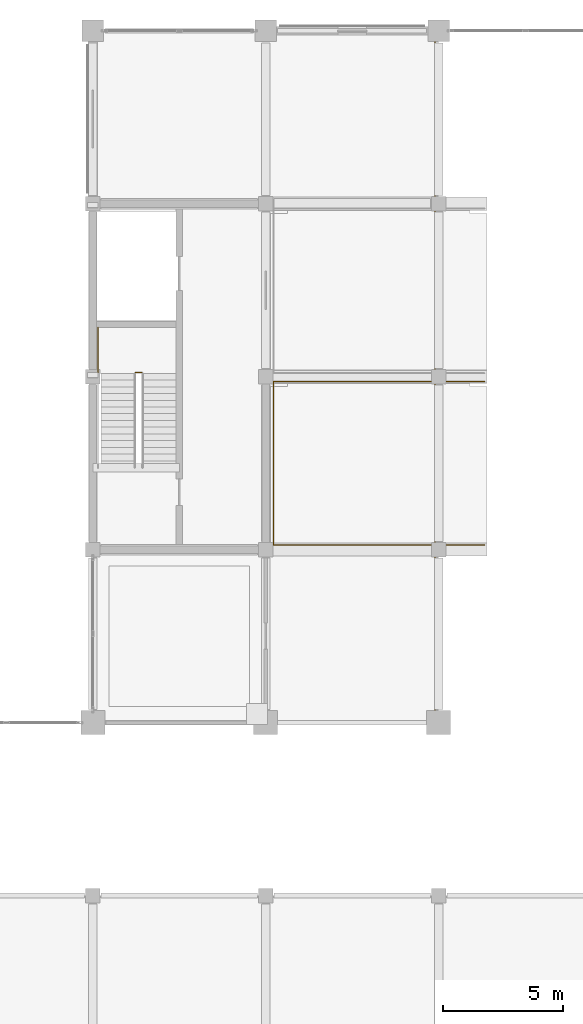
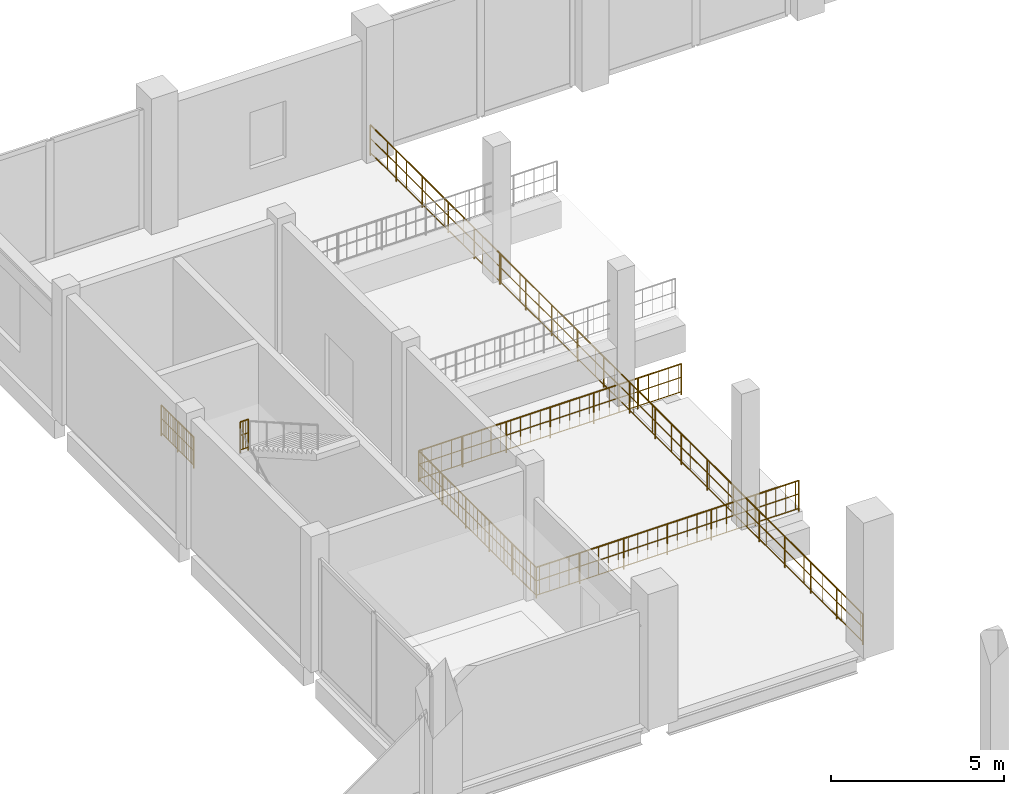
# One storey, part 91 of 99: 4 railings.
"""IFC4 building model written with IfcOpenShell, lengths in metres."""

from ifc_helpers import new_model, si_unit, direction, frame, origin, origin_2d, place, context, subcontext, project, spatial, circle, extrude, material, type_object, element, save


model = new_model("IFC4")

# Units and contexts
model_context = context("Model", 3, precision=1e-05, world=origin(), true_north=direction((0.0, 1.0)))
body_context = subcontext(model_context, "Body", "Model", "MODEL_VIEW")
ifc_project = project(units=[si_unit("LENGTHUNIT", "METRE"), si_unit("AREAUNIT", "SQUARE_METRE"), si_unit("VOLUMEUNIT", "CUBIC_METRE"), si_unit("PLANEANGLEUNIT", "RADIAN"), si_unit("MASSUNIT", "GRAM", prefix="KILO")], contexts=[model_context])

# Site, building, storey
site_placement = place(None, origin())
site = spatial("IfcSite", under=ifc_project, at=site_placement, CompositionType="ELEMENT")
building_placement = place(site_placement, origin())
building = spatial("IfcBuilding", under=site, at=building_placement, Name="Vesperath Aquatics Centre", CompositionType="ELEMENT")
storey_placement = place(building_placement, frame((0.0, 0.0, 5.39990234375)))
storey = spatial("IfcBuildingStorey", under=building, at=storey_placement, Name="L01", CompositionType="ELEMENT", Elevation=5.39990234375)

# Railings
ifc_material = material(Name="Powder-coated galvanized steel safety guard", Category="steel")
railing_type = type_object("IfcRailingType", Name="RL-GRD01", PredefinedType="GUARDRAIL", material=ifc_material)
railing_1_placement = place(storey_placement, frame((8.97998046875, 100.97998046875, 2.400146484375)))
element("IfcRailing", 1, at=railing_1_placement, inside=storey, type_object=railing_type, Name="Stair ST3 Half-Landing Slot Guard GR02 L01", PredefinedType="GUARDRAIL", context=body_context, shape_type="SweptSolid", body=[
    extrude(circle(Radius=0.02392578125, at=origin_2d()), frame((0.0, 0.0, 1.0859375), z_axis=(1.0, 0.0, 0.0), x_axis=(0.0, 1.0, 0.0)), (0.0, 0.0, 1.0), 0.260009765625),
    extrude(circle(Radius=0.01611328125, at=origin_2d()), frame((0.0, 0.0, 0.10009765625), z_axis=(1.0, 0.0, 0.0), x_axis=(0.0, 1.0, 0.0)), (0.0, 0.0, 1.0), 0.260009765625),
    extrude(circle(Radius=0.01611328125, at=origin_2d()), frame((0.0, 0.0, 0.610595703125), z_axis=(1.0, 0.0, 0.0), x_axis=(0.0, 1.0, 0.0)), (0.0, 0.0, 1.0), 0.260009765625),
    extrude(circle(Radius=0.009033203125, at=origin_2d()), frame((0.086669921875, 0.0, 0.10009765625)), (0.0, 0.0, 1.0), 0.9619140625),
    extrude(circle(Radius=0.009033203125, at=origin_2d()), frame((0.17333984375, 0.0, 0.10009765625)), (0.0, 0.0, 1.0), 0.9619140625),
    extrude(circle(Radius=0.02197265625, at=origin_2d()), origin(), (0.0, 0.0, 1.0), 1.0859375),
    extrude(circle(Radius=0.02197265625, at=origin_2d()), frame((0.260009765625, 0.0, 0.0)), (0.0, 0.0, 1.0), 1.0859375),
])
railing_2_placement = place(storey_placement, frame((7.419921875, 100.97998046875, 2.400146484375)))
element("IfcRailing", 2, at=railing_2_placement, inside=storey, type_object=railing_type, Name="Stair ST3 Half-Landing Wall Guard GR02 L01", PredefinedType="GUARDRAIL", context=body_context, shape_type="SweptSolid", body=[
    extrude(circle(Radius=0.02392578125, at=origin_2d()), frame((0.0, 0.0, 1.0859375), z_axis=(0.0, 1.0, 0.0), x_axis=(-1.0, 0.0, 0.0)), (0.0, 0.0, 1.0), 1.880126953125),
    extrude(circle(Radius=0.01611328125, at=origin_2d()), frame((0.0, 0.0, 0.10009765625), z_axis=(0.0, 1.0, 0.0), x_axis=(-1.0, 0.0, 0.0)), (0.0, 0.0, 1.0), 1.880126953125),
    extrude(circle(Radius=0.01611328125, at=origin_2d()), frame((0.0, 0.0, 0.610595703125), z_axis=(0.0, 1.0, 0.0), x_axis=(-1.0, 0.0, 0.0)), (0.0, 0.0, 1.0), 1.880126953125),
    extrude(circle(Radius=0.009033203125, at=origin_2d()), frame((0.0, 0.1044921875, 0.10009765625)), (0.0, 0.0, 1.0), 0.9619140625),
    extrude(circle(Radius=0.009033203125, at=origin_2d()), frame((0.0, 0.208984375, 0.10009765625)), (0.0, 0.0, 1.0), 0.9619140625),
    extrude(circle(Radius=0.009033203125, at=origin_2d()), frame((0.0, 0.3134765625, 0.10009765625)), (0.0, 0.0, 1.0), 0.9619140625),
    extrude(circle(Radius=0.009033203125, at=origin_2d()), frame((0.0, 0.417724609375, 0.10009765625)), (0.0, 0.0, 1.0), 0.9619140625),
    extrude(circle(Radius=0.009033203125, at=origin_2d()), frame((0.0, 0.522216796875, 0.10009765625)), (0.0, 0.0, 1.0), 0.9619140625),
    extrude(circle(Radius=0.009033203125, at=origin_2d()), frame((0.0, 0.626708984375, 0.10009765625)), (0.0, 0.0, 1.0), 0.9619140625),
    extrude(circle(Radius=0.009033203125, at=origin_2d()), frame((0.0, 0.731201171875, 0.10009765625)), (0.0, 0.0, 1.0), 0.9619140625),
    extrude(circle(Radius=0.009033203125, at=origin_2d()), frame((0.0, 0.835693359375, 0.10009765625)), (0.0, 0.0, 1.0), 0.9619140625),
    extrude(circle(Radius=0.009033203125, at=origin_2d()), frame((0.0, 0.93994140625, 0.10009765625)), (0.0, 0.0, 1.0), 0.9619140625),
    extrude(circle(Radius=0.009033203125, at=origin_2d()), frame((0.0, 1.04443359375, 0.10009765625)), (0.0, 0.0, 1.0), 0.9619140625),
    extrude(circle(Radius=0.009033203125, at=origin_2d()), frame((0.0, 1.14892578125, 0.10009765625)), (0.0, 0.0, 1.0), 0.9619140625),
    extrude(circle(Radius=0.009033203125, at=origin_2d()), frame((0.0, 1.25341796875, 0.10009765625)), (0.0, 0.0, 1.0), 0.9619140625),
    extrude(circle(Radius=0.009033203125, at=origin_2d()), frame((0.0, 1.35791015625, 0.10009765625)), (0.0, 0.0, 1.0), 0.9619140625),
    extrude(circle(Radius=0.009033203125, at=origin_2d()), frame((0.0, 1.46240234375, 0.10009765625)), (0.0, 0.0, 1.0), 0.9619140625),
    extrude(circle(Radius=0.009033203125, at=origin_2d()), frame((0.0, 1.56689453125, 0.10009765625)), (0.0, 0.0, 1.0), 0.9619140625),
    extrude(circle(Radius=0.009033203125, at=origin_2d()), frame((0.0, 1.671142578125, 0.10009765625)), (0.0, 0.0, 1.0), 0.9619140625),
    extrude(circle(Radius=0.009033203125, at=origin_2d()), frame((0.0, 1.775634765625, 0.10009765625)), (0.0, 0.0, 1.0), 0.9619140625),
    extrude(circle(Radius=0.02197265625, at=origin_2d()), origin(), (0.0, 0.0, 1.0), 1.0859375),
    extrude(circle(Radius=0.02197265625, at=origin_2d()), frame((0.0, 0.93994140625, 0.0)), (0.0, 0.0, 1.0), 1.0859375),
    extrude(circle(Radius=0.02197265625, at=origin_2d()), frame((0.0, 1.880126953125, 0.0)), (0.0, 0.0, 1.0), 1.0859375),
])
railing_3_placement = place(storey_placement, frame((21.449951171875, 86.550048828125, 0.0)))
element("IfcRailing", 3, at=railing_3_placement, inside=storey, type_object=railing_type, Name="Safety Guardrail GR02 GRD_L01_DIVE_G", PredefinedType="GUARDRAIL", context=body_context, shape_type="SweptSolid", body=[
    extrude(circle(Radius=0.02392578125, at=origin_2d()), frame((0.0, 0.0, 1.0859375), z_axis=(0.0, 1.0, 0.0), x_axis=(-1.0, 0.0, 0.0)), (0.0, 0.0, 1.0), 28.5),
    extrude(circle(Radius=0.01611328125, at=origin_2d()), frame((0.0, 0.0, 0.10009765625), z_axis=(0.0, 1.0, 0.0), x_axis=(-1.0, 0.0, 0.0)), (0.0, 0.0, 1.0), 28.5),
    extrude(circle(Radius=0.01611328125, at=origin_2d()), frame((0.0, 0.0, 0.610595703125), z_axis=(0.0, 1.0, 0.0), x_axis=(-1.0, 0.0, 0.0)), (0.0, 0.0, 1.0), 28.5),
    extrude(circle(Radius=0.009033203125, at=origin_2d()), frame((0.0, 0.109619140625, 0.10009765625)), (0.0, 0.0, 1.0), 0.9619140625),
    extrude(circle(Radius=0.009033203125, at=origin_2d()), frame((0.0, 1.205810546875, 0.10009765625)), (0.0, 0.0, 1.0), 0.9619140625),
    extrude(circle(Radius=0.009033203125, at=origin_2d()), frame((0.0, 2.302001953125, 0.10009765625)), (0.0, 0.0, 1.0), 0.9619140625),
    extrude(circle(Radius=0.009033203125, at=origin_2d()), frame((0.0, 3.398193359375, 0.10009765625)), (0.0, 0.0, 1.0), 0.9619140625),
    extrude(circle(Radius=0.009033203125, at=origin_2d()), frame((0.0, 4.494140625, 0.10009765625)), (0.0, 0.0, 1.0), 0.9619140625),
    extrude(circle(Radius=0.009033203125, at=origin_2d()), frame((0.0, 5.59033203125, 0.10009765625)), (0.0, 0.0, 1.0), 0.9619140625),
    extrude(circle(Radius=0.009033203125, at=origin_2d()), frame((0.0, 6.6865234375, 0.10009765625)), (0.0, 0.0, 1.0), 0.9619140625),
    extrude(circle(Radius=0.009033203125, at=origin_2d()), frame((0.0, 7.78271484375, 0.10009765625)), (0.0, 0.0, 1.0), 0.9619140625),
    extrude(circle(Radius=0.009033203125, at=origin_2d()), frame((0.0, 8.87890625, 0.10009765625)), (0.0, 0.0, 1.0), 0.9619140625),
    extrude(circle(Radius=0.009033203125, at=origin_2d()), frame((0.0, 9.97509765625, 0.10009765625)), (0.0, 0.0, 1.0), 0.9619140625),
    extrude(circle(Radius=0.009033203125, at=origin_2d()), frame((0.0, 11.071044921875, 0.10009765625)), (0.0, 0.0, 1.0), 0.9619140625),
    extrude(circle(Radius=0.009033203125, at=origin_2d()), frame((0.0, 12.167236328125, 0.10009765625)), (0.0, 0.0, 1.0), 0.9619140625),
    extrude(circle(Radius=0.009033203125, at=origin_2d()), frame((0.0, 13.263427734375, 0.10009765625)), (0.0, 0.0, 1.0), 0.9619140625),
    extrude(circle(Radius=0.009033203125, at=origin_2d()), frame((0.0, 14.359619140625, 0.10009765625)), (0.0, 0.0, 1.0), 0.9619140625),
    extrude(circle(Radius=0.009033203125, at=origin_2d()), frame((0.0, 15.455810546875, 0.10009765625)), (0.0, 0.0, 1.0), 0.9619140625),
    extrude(circle(Radius=0.009033203125, at=origin_2d()), frame((0.0, 16.552001953125, 0.10009765625)), (0.0, 0.0, 1.0), 0.9619140625),
    extrude(circle(Radius=0.009033203125, at=origin_2d()), frame((0.0, 17.648193359375, 0.10009765625)), (0.0, 0.0, 1.0), 0.9619140625),
    extrude(circle(Radius=0.009033203125, at=origin_2d()), frame((0.0, 18.744140625, 0.10009765625)), (0.0, 0.0, 1.0), 0.9619140625),
    extrude(circle(Radius=0.009033203125, at=origin_2d()), frame((0.0, 19.84033203125, 0.10009765625)), (0.0, 0.0, 1.0), 0.9619140625),
    extrude(circle(Radius=0.009033203125, at=origin_2d()), frame((0.0, 20.9365234375, 0.10009765625)), (0.0, 0.0, 1.0), 0.9619140625),
    extrude(circle(Radius=0.009033203125, at=origin_2d()), frame((0.0, 22.03271484375, 0.10009765625)), (0.0, 0.0, 1.0), 0.9619140625),
    extrude(circle(Radius=0.009033203125, at=origin_2d()), frame((0.0, 23.12890625, 0.10009765625)), (0.0, 0.0, 1.0), 0.9619140625),
    extrude(circle(Radius=0.009033203125, at=origin_2d()), frame((0.0, 24.22509765625, 0.10009765625)), (0.0, 0.0, 1.0), 0.9619140625),
    extrude(circle(Radius=0.009033203125, at=origin_2d()), frame((0.0, 25.321044921875, 0.10009765625)), (0.0, 0.0, 1.0), 0.9619140625),
    extrude(circle(Radius=0.009033203125, at=origin_2d()), frame((0.0, 26.417236328125, 0.10009765625)), (0.0, 0.0, 1.0), 0.9619140625),
    extrude(circle(Radius=0.009033203125, at=origin_2d()), frame((0.0, 27.513427734375, 0.10009765625)), (0.0, 0.0, 1.0), 0.9619140625),
    extrude(circle(Radius=0.02197265625, at=origin_2d()), origin(), (0.0, 0.0, 1.0), 1.0859375),
    extrude(circle(Radius=0.02197265625, at=origin_2d()), frame((0.0, 1.5, 0.0)), (0.0, 0.0, 1.0), 1.0859375),
    extrude(circle(Radius=0.02197265625, at=origin_2d()), frame((0.0, 3.0, 0.0)), (0.0, 0.0, 1.0), 1.0859375),
    extrude(circle(Radius=0.02197265625, at=origin_2d()), frame((0.0, 4.5, 0.0)), (0.0, 0.0, 1.0), 1.0859375),
    extrude(circle(Radius=0.02197265625, at=origin_2d()), frame((0.0, 6.0, 0.0)), (0.0, 0.0, 1.0), 1.0859375),
    extrude(circle(Radius=0.02197265625, at=origin_2d()), frame((0.0, 7.5, 0.0)), (0.0, 0.0, 1.0), 1.0859375),
    extrude(circle(Radius=0.02197265625, at=origin_2d()), frame((0.0, 9.0, 0.0)), (0.0, 0.0, 1.0), 1.0859375),
    extrude(circle(Radius=0.02197265625, at=origin_2d()), frame((0.0, 10.5, 0.0)), (0.0, 0.0, 1.0), 1.0859375),
    extrude(circle(Radius=0.02197265625, at=origin_2d()), frame((0.0, 12.0, 0.0)), (0.0, 0.0, 1.0), 1.0859375),
    extrude(circle(Radius=0.02197265625, at=origin_2d()), frame((0.0, 13.5, 0.0)), (0.0, 0.0, 1.0), 1.0859375),
    extrude(circle(Radius=0.02197265625, at=origin_2d()), frame((0.0, 15.0, 0.0)), (0.0, 0.0, 1.0), 1.0859375),
    extrude(circle(Radius=0.02197265625, at=origin_2d()), frame((0.0, 16.5, 0.0)), (0.0, 0.0, 1.0), 1.0859375),
    extrude(circle(Radius=0.02197265625, at=origin_2d()), frame((0.0, 18.0, 0.0)), (0.0, 0.0, 1.0), 1.0859375),
    extrude(circle(Radius=0.02197265625, at=origin_2d()), frame((0.0, 19.5, 0.0)), (0.0, 0.0, 1.0), 1.0859375),
    extrude(circle(Radius=0.02197265625, at=origin_2d()), frame((0.0, 21.0, 0.0)), (0.0, 0.0, 1.0), 1.0859375),
    extrude(circle(Radius=0.02197265625, at=origin_2d()), frame((0.0, 22.5, 0.0)), (0.0, 0.0, 1.0), 1.0859375),
    extrude(circle(Radius=0.02197265625, at=origin_2d()), frame((0.0, 24.0, 0.0)), (0.0, 0.0, 1.0), 1.0859375),
    extrude(circle(Radius=0.02197265625, at=origin_2d()), frame((0.0, 25.5, 0.0)), (0.0, 0.0, 1.0), 1.0859375),
    extrude(circle(Radius=0.02197265625, at=origin_2d()), frame((0.0, 27.0, 0.0)), (0.0, 0.0, 1.0), 1.0859375),
    extrude(circle(Radius=0.02197265625, at=origin_2d()), frame((0.0, 28.5, 0.0)), (0.0, 0.0, 1.0), 1.0859375),
])
railing_4_placement = place(storey_placement, frame((23.5, 93.800048828125, -0.39990234375)))
element("IfcRailing", 4, at=railing_4_placement, inside=storey, type_object=railing_type, Name="Safety Guardrail GR02 GRD_DP_5M", PredefinedType="GUARDRAIL", context=body_context, shape_type="SweptSolid", body=[
    extrude(circle(Radius=0.02392578125, at=origin_2d()), frame((0.0, 0.0, 1.0859375), z_axis=(-1.0, 0.0, 0.0), x_axis=(0.0, -1.0, 0.0)), (0.0, 0.0, 1.0), 8.780029296875),
    extrude(circle(Radius=0.01611328125, at=origin_2d()), frame((0.0, 0.0, 0.10009765625), z_axis=(-1.0, 0.0, 0.0), x_axis=(0.0, -1.0, 0.0)), (0.0, 0.0, 1.0), 8.780029296875),
    extrude(circle(Radius=0.01611328125, at=origin_2d()), frame((0.0, 0.0, 0.610595703125), z_axis=(-1.0, 0.0, 0.0), x_axis=(0.0, -1.0, 0.0)), (0.0, 0.0, 1.0), 8.780029296875),
    extrude(circle(Radius=0.009033203125, at=origin_2d()), frame((-0.10986328125, 0.0, 0.10009765625)), (0.0, 0.0, 1.0), 0.9619140625),
    extrude(circle(Radius=0.009033203125, at=origin_2d()), frame((-0.43896484375, 0.0, 0.10009765625)), (0.0, 0.0, 1.0), 0.9619140625),
    extrude(circle(Radius=0.009033203125, at=origin_2d()), frame((-0.768310546875, 0.0, 0.10009765625)), (0.0, 0.0, 1.0), 0.9619140625),
    extrude(circle(Radius=0.009033203125, at=origin_2d()), frame((-1.097412109375, 0.0, 0.10009765625)), (0.0, 0.0, 1.0), 0.9619140625),
    extrude(circle(Radius=0.009033203125, at=origin_2d()), frame((-1.4267578125, 0.0, 0.10009765625)), (0.0, 0.0, 1.0), 0.9619140625),
    extrude(circle(Radius=0.009033203125, at=origin_2d()), frame((-1.756103515625, 0.0, 0.10009765625)), (0.0, 0.0, 1.0), 0.9619140625),
    extrude(circle(Radius=0.009033203125, at=origin_2d()), frame((-2.085205078125, 0.0, 0.10009765625)), (0.0, 0.0, 1.0), 0.9619140625),
    extrude(circle(Radius=0.009033203125, at=origin_2d()), frame((-2.41455078125, 0.0, 0.10009765625)), (0.0, 0.0, 1.0), 0.9619140625),
    extrude(circle(Radius=0.009033203125, at=origin_2d()), frame((-2.74365234375, 0.0, 0.10009765625)), (0.0, 0.0, 1.0), 0.9619140625),
    extrude(circle(Radius=0.009033203125, at=origin_2d()), frame((-3.072998046875, 0.0, 0.10009765625)), (0.0, 0.0, 1.0), 0.9619140625),
    extrude(circle(Radius=0.009033203125, at=origin_2d()), frame((-3.40234375, 0.0, 0.10009765625)), (0.0, 0.0, 1.0), 0.9619140625),
    extrude(circle(Radius=0.009033203125, at=origin_2d()), frame((-3.7314453125, 0.0, 0.10009765625)), (0.0, 0.0, 1.0), 0.9619140625),
    extrude(circle(Radius=0.009033203125, at=origin_2d()), frame((-4.060791015625, 0.0, 0.10009765625)), (0.0, 0.0, 1.0), 0.9619140625),
    extrude(circle(Radius=0.009033203125, at=origin_2d()), frame((-4.39013671875, 0.0, 0.10009765625)), (0.0, 0.0, 1.0), 0.9619140625),
    extrude(circle(Radius=0.009033203125, at=origin_2d()), frame((-4.71923828125, 0.0, 0.10009765625)), (0.0, 0.0, 1.0), 0.9619140625),
    extrude(circle(Radius=0.009033203125, at=origin_2d()), frame((-5.048583984375, 0.0, 0.10009765625)), (0.0, 0.0, 1.0), 0.9619140625),
    extrude(circle(Radius=0.009033203125, at=origin_2d()), frame((-5.377685546875, 0.0, 0.10009765625)), (0.0, 0.0, 1.0), 0.9619140625),
    extrude(circle(Radius=0.009033203125, at=origin_2d()), frame((-5.70703125, 0.0, 0.10009765625)), (0.0, 0.0, 1.0), 0.9619140625),
    extrude(circle(Radius=0.009033203125, at=origin_2d()), frame((-6.036376953125, 0.0, 0.10009765625)), (0.0, 0.0, 1.0), 0.9619140625),
    extrude(circle(Radius=0.009033203125, at=origin_2d()), frame((-6.365478515625, 0.0, 0.10009765625)), (0.0, 0.0, 1.0), 0.9619140625),
    extrude(circle(Radius=0.009033203125, at=origin_2d()), frame((-6.69482421875, 0.0, 0.10009765625)), (0.0, 0.0, 1.0), 0.9619140625),
    extrude(circle(Radius=0.009033203125, at=origin_2d()), frame((-7.02392578125, 0.0, 0.10009765625)), (0.0, 0.0, 1.0), 0.9619140625),
    extrude(circle(Radius=0.009033203125, at=origin_2d()), frame((-7.353271484375, 0.0, 0.10009765625)), (0.0, 0.0, 1.0), 0.9619140625),
    extrude(circle(Radius=0.009033203125, at=origin_2d()), frame((-7.6826171875, 0.0, 0.10009765625)), (0.0, 0.0, 1.0), 0.9619140625),
    extrude(circle(Radius=0.009033203125, at=origin_2d()), frame((-8.01171875, 0.0, 0.10009765625)), (0.0, 0.0, 1.0), 0.9619140625),
    extrude(circle(Radius=0.009033203125, at=origin_2d()), frame((-8.341064453125, 0.0, 0.10009765625)), (0.0, 0.0, 1.0), 0.9619140625),
    extrude(circle(Radius=0.009033203125, at=origin_2d()), frame((-8.670166015625, 0.0, 0.10009765625)), (0.0, 0.0, 1.0), 0.9619140625),
    extrude(circle(Radius=0.02392578125, at=origin_2d()), frame((-8.780029296875, 0.0, 1.0859375), z_axis=(0.0, 1.0, 0.0), x_axis=(-1.0, 0.0, 0.0)), (0.0, 0.0, 1.0), 6.800048828125),
    extrude(circle(Radius=0.01611328125, at=origin_2d()), frame((-8.780029296875, 0.0, 0.10009765625), z_axis=(0.0, 1.0, 0.0), x_axis=(-1.0, 0.0, 0.0)), (0.0, 0.0, 1.0), 6.800048828125),
    extrude(circle(Radius=0.01611328125, at=origin_2d()), frame((-8.780029296875, 0.0, 0.610595703125), z_axis=(0.0, 1.0, 0.0), x_axis=(-1.0, 0.0, 0.0)), (0.0, 0.0, 1.0), 6.800048828125),
    extrude(circle(Radius=0.009033203125, at=origin_2d()), frame((-8.780029296875, 0.109619140625, 0.10009765625)), (0.0, 0.0, 1.0), 0.9619140625),
    extrude(circle(Radius=0.009033203125, at=origin_2d()), frame((-8.780029296875, 0.3291015625, 0.10009765625)), (0.0, 0.0, 1.0), 0.9619140625),
    extrude(circle(Radius=0.009033203125, at=origin_2d()), frame((-8.780029296875, 0.54833984375, 0.10009765625)), (0.0, 0.0, 1.0), 0.9619140625),
    extrude(circle(Radius=0.009033203125, at=origin_2d()), frame((-8.780029296875, 0.767822265625, 0.10009765625)), (0.0, 0.0, 1.0), 0.9619140625),
    extrude(circle(Radius=0.009033203125, at=origin_2d()), frame((-8.780029296875, 0.987060546875, 0.10009765625)), (0.0, 0.0, 1.0), 0.9619140625),
    extrude(circle(Radius=0.009033203125, at=origin_2d()), frame((-8.780029296875, 1.20654296875, 0.10009765625)), (0.0, 0.0, 1.0), 0.9619140625),
    extrude(circle(Radius=0.009033203125, at=origin_2d()), frame((-8.780029296875, 1.42578125, 0.10009765625)), (0.0, 0.0, 1.0), 0.9619140625),
    extrude(circle(Radius=0.009033203125, at=origin_2d()), frame((-8.780029296875, 1.645263671875, 0.10009765625)), (0.0, 0.0, 1.0), 0.9619140625),
    extrude(circle(Radius=0.009033203125, at=origin_2d()), frame((-8.780029296875, 1.864501953125, 0.10009765625)), (0.0, 0.0, 1.0), 0.9619140625),
    extrude(circle(Radius=0.009033203125, at=origin_2d()), frame((-8.780029296875, 2.083984375, 0.10009765625)), (0.0, 0.0, 1.0), 0.9619140625),
    extrude(circle(Radius=0.009033203125, at=origin_2d()), frame((-8.780029296875, 2.30322265625, 0.10009765625)), (0.0, 0.0, 1.0), 0.9619140625),
    extrude(circle(Radius=0.009033203125, at=origin_2d()), frame((-8.780029296875, 2.522705078125, 0.10009765625)), (0.0, 0.0, 1.0), 0.9619140625),
    extrude(circle(Radius=0.009033203125, at=origin_2d()), frame((-8.780029296875, 2.741943359375, 0.10009765625)), (0.0, 0.0, 1.0), 0.9619140625),
    extrude(circle(Radius=0.009033203125, at=origin_2d()), frame((-8.780029296875, 2.96142578125, 0.10009765625)), (0.0, 0.0, 1.0), 0.9619140625),
    extrude(circle(Radius=0.009033203125, at=origin_2d()), frame((-8.780029296875, 3.1806640625, 0.10009765625)), (0.0, 0.0, 1.0), 0.9619140625),
    extrude(circle(Radius=0.009033203125, at=origin_2d()), frame((-8.780029296875, 3.39990234375, 0.10009765625)), (0.0, 0.0, 1.0), 0.9619140625),
    extrude(circle(Radius=0.009033203125, at=origin_2d()), frame((-8.780029296875, 3.619384765625, 0.10009765625)), (0.0, 0.0, 1.0), 0.9619140625),
    extrude(circle(Radius=0.009033203125, at=origin_2d()), frame((-8.780029296875, 3.838623046875, 0.10009765625)), (0.0, 0.0, 1.0), 0.9619140625),
    extrude(circle(Radius=0.009033203125, at=origin_2d()), frame((-8.780029296875, 4.05810546875, 0.10009765625)), (0.0, 0.0, 1.0), 0.9619140625),
    extrude(circle(Radius=0.009033203125, at=origin_2d()), frame((-8.780029296875, 4.27734375, 0.10009765625)), (0.0, 0.0, 1.0), 0.9619140625),
    extrude(circle(Radius=0.009033203125, at=origin_2d()), frame((-8.780029296875, 4.496826171875, 0.10009765625)), (0.0, 0.0, 1.0), 0.9619140625),
    extrude(circle(Radius=0.009033203125, at=origin_2d()), frame((-8.780029296875, 4.716064453125, 0.10009765625)), (0.0, 0.0, 1.0), 0.9619140625),
    extrude(circle(Radius=0.009033203125, at=origin_2d()), frame((-8.780029296875, 4.935546875, 0.10009765625)), (0.0, 0.0, 1.0), 0.9619140625),
    extrude(circle(Radius=0.009033203125, at=origin_2d()), frame((-8.780029296875, 5.15478515625, 0.10009765625)), (0.0, 0.0, 1.0), 0.9619140625),
    extrude(circle(Radius=0.009033203125, at=origin_2d()), frame((-8.780029296875, 5.374267578125, 0.10009765625)), (0.0, 0.0, 1.0), 0.9619140625),
    extrude(circle(Radius=0.009033203125, at=origin_2d()), frame((-8.780029296875, 5.593505859375, 0.10009765625)), (0.0, 0.0, 1.0), 0.9619140625),
    extrude(circle(Radius=0.009033203125, at=origin_2d()), frame((-8.780029296875, 5.81298828125, 0.10009765625)), (0.0, 0.0, 1.0), 0.9619140625),
    extrude(circle(Radius=0.009033203125, at=origin_2d()), frame((-8.780029296875, 6.0322265625, 0.10009765625)), (0.0, 0.0, 1.0), 0.9619140625),
    extrude(circle(Radius=0.009033203125, at=origin_2d()), frame((-8.780029296875, 6.251708984375, 0.10009765625)), (0.0, 0.0, 1.0), 0.9619140625),
    extrude(circle(Radius=0.009033203125, at=origin_2d()), frame((-8.780029296875, 6.470947265625, 0.10009765625)), (0.0, 0.0, 1.0), 0.9619140625),
    extrude(circle(Radius=0.009033203125, at=origin_2d()), frame((-8.780029296875, 6.6904296875, 0.10009765625)), (0.0, 0.0, 1.0), 0.9619140625),
    extrude(circle(Radius=0.02392578125, at=origin_2d()), frame((-8.780029296875, 6.800048828125, 1.0859375), z_axis=(1.0, 0.0, 0.0), x_axis=(0.0, 1.0, 0.0)), (0.0, 0.0, 1.0), 8.780029296875),
    extrude(circle(Radius=0.01611328125, at=origin_2d()), frame((-8.780029296875, 6.800048828125, 0.10009765625), z_axis=(1.0, 0.0, 0.0), x_axis=(0.0, 1.0, 0.0)), (0.0, 0.0, 1.0), 8.780029296875),
    extrude(circle(Radius=0.01611328125, at=origin_2d()), frame((-8.780029296875, 6.800048828125, 0.610595703125), z_axis=(1.0, 0.0, 0.0), x_axis=(0.0, 1.0, 0.0)), (0.0, 0.0, 1.0), 8.780029296875),
    extrude(circle(Radius=0.009033203125, at=origin_2d()), frame((-8.670166015625, 6.800048828125, 0.10009765625)), (0.0, 0.0, 1.0), 0.9619140625),
    extrude(circle(Radius=0.009033203125, at=origin_2d()), frame((-8.341064453125, 6.800048828125, 0.10009765625)), (0.0, 0.0, 1.0), 0.9619140625),
    extrude(circle(Radius=0.009033203125, at=origin_2d()), frame((-8.01171875, 6.800048828125, 0.10009765625)), (0.0, 0.0, 1.0), 0.9619140625),
    extrude(circle(Radius=0.009033203125, at=origin_2d()), frame((-7.6826171875, 6.800048828125, 0.10009765625)), (0.0, 0.0, 1.0), 0.9619140625),
    extrude(circle(Radius=0.009033203125, at=origin_2d()), frame((-7.353271484375, 6.800048828125, 0.10009765625)), (0.0, 0.0, 1.0), 0.9619140625),
    extrude(circle(Radius=0.009033203125, at=origin_2d()), frame((-7.02392578125, 6.800048828125, 0.10009765625)), (0.0, 0.0, 1.0), 0.9619140625),
    extrude(circle(Radius=0.009033203125, at=origin_2d()), frame((-6.69482421875, 6.800048828125, 0.10009765625)), (0.0, 0.0, 1.0), 0.9619140625),
    extrude(circle(Radius=0.009033203125, at=origin_2d()), frame((-6.365478515625, 6.800048828125, 0.10009765625)), (0.0, 0.0, 1.0), 0.9619140625),
    extrude(circle(Radius=0.009033203125, at=origin_2d()), frame((-6.036376953125, 6.800048828125, 0.10009765625)), (0.0, 0.0, 1.0), 0.9619140625),
    extrude(circle(Radius=0.009033203125, at=origin_2d()), frame((-5.70703125, 6.800048828125, 0.10009765625)), (0.0, 0.0, 1.0), 0.9619140625),
    extrude(circle(Radius=0.009033203125, at=origin_2d()), frame((-5.377685546875, 6.800048828125, 0.10009765625)), (0.0, 0.0, 1.0), 0.9619140625),
    extrude(circle(Radius=0.009033203125, at=origin_2d()), frame((-5.048583984375, 6.800048828125, 0.10009765625)), (0.0, 0.0, 1.0), 0.9619140625),
    extrude(circle(Radius=0.009033203125, at=origin_2d()), frame((-4.71923828125, 6.800048828125, 0.10009765625)), (0.0, 0.0, 1.0), 0.9619140625),
    extrude(circle(Radius=0.009033203125, at=origin_2d()), frame((-4.39013671875, 6.800048828125, 0.10009765625)), (0.0, 0.0, 1.0), 0.9619140625),
    extrude(circle(Radius=0.009033203125, at=origin_2d()), frame((-4.060791015625, 6.800048828125, 0.10009765625)), (0.0, 0.0, 1.0), 0.9619140625),
    extrude(circle(Radius=0.009033203125, at=origin_2d()), frame((-3.7314453125, 6.800048828125, 0.10009765625)), (0.0, 0.0, 1.0), 0.9619140625),
    extrude(circle(Radius=0.009033203125, at=origin_2d()), frame((-3.40234375, 6.800048828125, 0.10009765625)), (0.0, 0.0, 1.0), 0.9619140625),
    extrude(circle(Radius=0.009033203125, at=origin_2d()), frame((-3.072998046875, 6.800048828125, 0.10009765625)), (0.0, 0.0, 1.0), 0.9619140625),
    extrude(circle(Radius=0.009033203125, at=origin_2d()), frame((-2.74365234375, 6.800048828125, 0.10009765625)), (0.0, 0.0, 1.0), 0.9619140625),
    extrude(circle(Radius=0.009033203125, at=origin_2d()), frame((-2.41455078125, 6.800048828125, 0.10009765625)), (0.0, 0.0, 1.0), 0.9619140625),
    extrude(circle(Radius=0.009033203125, at=origin_2d()), frame((-2.085205078125, 6.800048828125, 0.10009765625)), (0.0, 0.0, 1.0), 0.9619140625),
    extrude(circle(Radius=0.009033203125, at=origin_2d()), frame((-1.756103515625, 6.800048828125, 0.10009765625)), (0.0, 0.0, 1.0), 0.9619140625),
    extrude(circle(Radius=0.009033203125, at=origin_2d()), frame((-1.4267578125, 6.800048828125, 0.10009765625)), (0.0, 0.0, 1.0), 0.9619140625),
    extrude(circle(Radius=0.009033203125, at=origin_2d()), frame((-1.097412109375, 6.800048828125, 0.10009765625)), (0.0, 0.0, 1.0), 0.9619140625),
    extrude(circle(Radius=0.009033203125, at=origin_2d()), frame((-0.768310546875, 6.800048828125, 0.10009765625)), (0.0, 0.0, 1.0), 0.9619140625),
    extrude(circle(Radius=0.009033203125, at=origin_2d()), frame((-0.43896484375, 6.800048828125, 0.10009765625)), (0.0, 0.0, 1.0), 0.9619140625),
    extrude(circle(Radius=0.009033203125, at=origin_2d()), frame((-0.10986328125, 6.800048828125, 0.10009765625)), (0.0, 0.0, 1.0), 0.9619140625),
    extrude(circle(Radius=0.02197265625, at=origin_2d()), origin(), (0.0, 0.0, 1.0), 1.0859375),
    extrude(circle(Radius=0.02197265625, at=origin_2d()), frame((-1.46337890625, 0.0, 0.0)), (0.0, 0.0, 1.0), 1.0859375),
    extrude(circle(Radius=0.02197265625, at=origin_2d()), frame((-2.9267578125, 0.0, 0.0)), (0.0, 0.0, 1.0), 1.0859375),
    extrude(circle(Radius=0.02197265625, at=origin_2d()), frame((-4.39013671875, 0.0, 0.0)), (0.0, 0.0, 1.0), 1.0859375),
    extrude(circle(Radius=0.02197265625, at=origin_2d()), frame((-5.853271484375, 0.0, 0.0)), (0.0, 0.0, 1.0), 1.0859375),
    extrude(circle(Radius=0.02197265625, at=origin_2d()), frame((-7.316650390625, 0.0, 0.0)), (0.0, 0.0, 1.0), 1.0859375),
    extrude(circle(Radius=0.02197265625, at=origin_2d()), frame((-8.780029296875, 0.0, 0.0)), (0.0, 0.0, 1.0), 1.0859375),
    extrude(circle(Radius=0.02197265625, at=origin_2d()), frame((-8.780029296875, 1.360107421875, 0.0)), (0.0, 0.0, 1.0), 1.0859375),
    extrude(circle(Radius=0.02197265625, at=origin_2d()), frame((-8.780029296875, 2.719970703125, 0.0)), (0.0, 0.0, 1.0), 1.0859375),
    extrude(circle(Radius=0.02197265625, at=origin_2d()), frame((-8.780029296875, 4.080078125, 0.0)), (0.0, 0.0, 1.0), 1.0859375),
    extrude(circle(Radius=0.02197265625, at=origin_2d()), frame((-8.780029296875, 5.43994140625, 0.0)), (0.0, 0.0, 1.0), 1.0859375),
    extrude(circle(Radius=0.02197265625, at=origin_2d()), frame((-8.780029296875, 6.800048828125, 0.0)), (0.0, 0.0, 1.0), 1.0859375),
    extrude(circle(Radius=0.02197265625, at=origin_2d()), frame((-7.316650390625, 6.800048828125, 0.0)), (0.0, 0.0, 1.0), 1.0859375),
    extrude(circle(Radius=0.02197265625, at=origin_2d()), frame((-5.853271484375, 6.800048828125, 0.0)), (0.0, 0.0, 1.0), 1.0859375),
    extrude(circle(Radius=0.02197265625, at=origin_2d()), frame((-4.39013671875, 6.800048828125, 0.0)), (0.0, 0.0, 1.0), 1.0859375),
    extrude(circle(Radius=0.02197265625, at=origin_2d()), frame((-2.9267578125, 6.800048828125, 0.0)), (0.0, 0.0, 1.0), 1.0859375),
    extrude(circle(Radius=0.02197265625, at=origin_2d()), frame((-1.46337890625, 6.800048828125, 0.0)), (0.0, 0.0, 1.0), 1.0859375),
    extrude(circle(Radius=0.02197265625, at=origin_2d()), frame((0.0, 6.800048828125, 0.0)), (0.0, 0.0, 1.0), 1.0859375),
])

save(model, "model.ifc")
